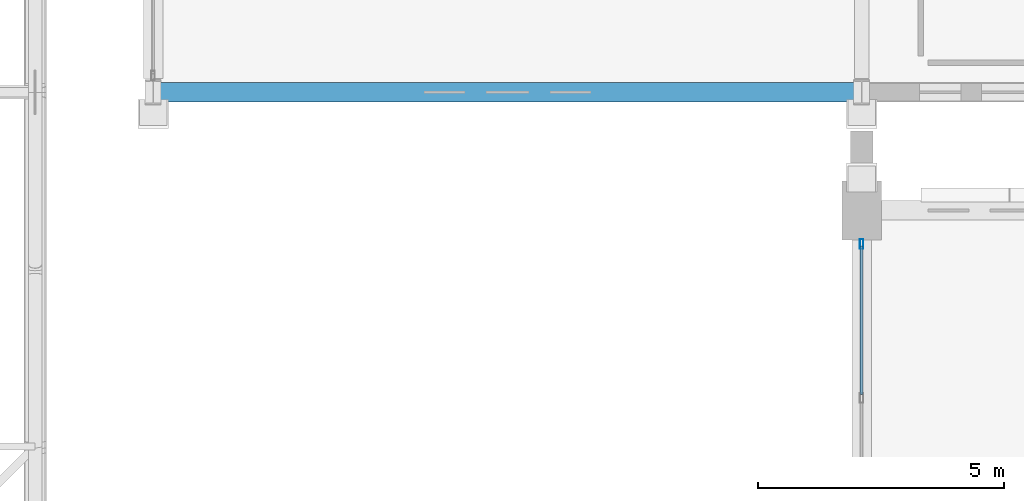
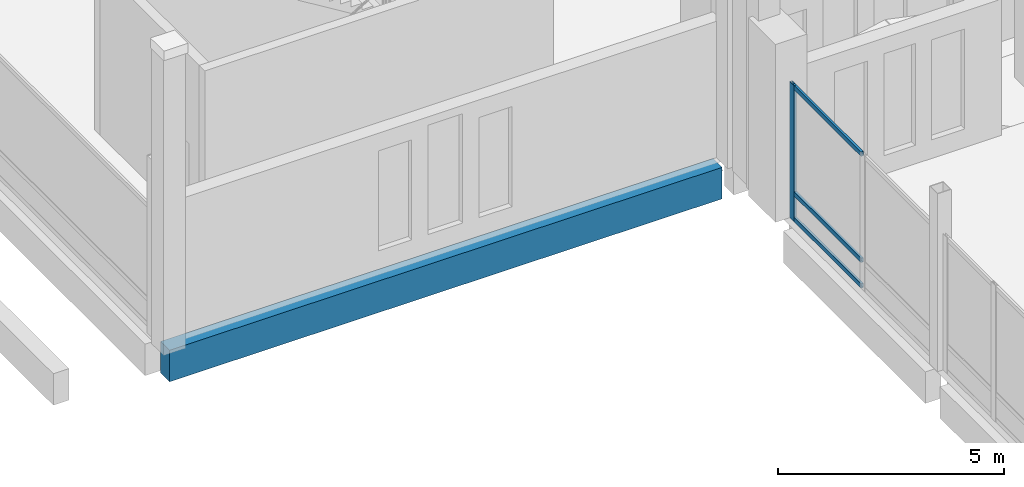
# One storey, part 85 of 193: 4 members, 1 beam, 1 element without a shape of its own.
"""IFC4 building model written with IfcOpenShell, lengths in metres."""

from ifc_helpers import new_model, si_unit, direction, frame, origin, origin_2d, place, context, subcontext, project, spatial, rectangle, hollow_rectangle, extrude, material, material_profile, profile_set, type_object, element, aggregate, save


model = new_model("IFC4")

# Units and contexts
model_context = context("Model", 3, precision=1e-05, world=origin(), true_north=direction((0.0, 1.0)))
body_context = subcontext(model_context, "Body", "Model", "MODEL_VIEW")
ifc_project = project(units=[si_unit("LENGTHUNIT", "METRE"), si_unit("AREAUNIT", "SQUARE_METRE"), si_unit("VOLUMEUNIT", "CUBIC_METRE"), si_unit("PLANEANGLEUNIT", "RADIAN"), si_unit("MASSUNIT", "GRAM", prefix="KILO")], contexts=[model_context])

# Site, building, storey
site_placement = place(None, origin())
site = spatial("IfcSite", under=ifc_project, at=site_placement, CompositionType="ELEMENT")
building_placement = place(site_placement, origin())
building = spatial("IfcBuilding", under=site, at=building_placement, Name="Cendralis Lancet Convention Centre", CompositionType="ELEMENT")
storey_placement = place(building_placement, frame((0.0, 0.0, 10.199951171875)))
storey = spatial("IfcBuildingStorey", under=building, at=storey_placement, Name="L02", CompositionType="ELEMENT", Elevation=10.199951171875)

# Curtain wall, members
ifc_material_1 = material(Name="Anodised bronze architectural aluminium", Category="aluminium")
curtain_wall_type = type_object("IfcCurtainWallType", Name="ARC-CW-PL02", PredefinedType="USERDEFINED", material=ifc_material_1)
curtain_wall_placement = place(storey_placement, origin())
curtain_wall = element("IfcCurtainWall", 1, at=curtain_wall_placement, inside=storey, type_object=curtain_wall_type, Name="L02 Curtain Wall CW-PL2 #130", ObjectType="CURTAIN WALL", PredefinedType="USERDEFINED")
ifc_material_profile_1 = material_profile(ifc_material_1, hollow_rectangle(XDim=0.070068359375, YDim=0.199951171875, WallThickness=0.0048828125, at=origin_2d()), Name="AL-MULL 70x200x5.0")
ifc_profile_set_1 = profile_set([ifc_material_profile_1], Name="Anodised bronze architectural aluminium")
member_type_1 = type_object("IfcMemberType", Name="ARC-CW-ML02", PredefinedType="MULLION", material=ifc_profile_set_1)
member_1_placement = place(storey_placement, frame((139.199951171875, 90.514892578125, 0.0), z_axis=(0.0, 0.0, 1.0), x_axis=(1.0, 0.0, 0.0)))
member_1 = element("IfcMember", 2, at=member_1_placement, type_object=member_type_1, Name="Mullion CW2-CW-PL2-L02-130-M2", PredefinedType="MULLION", context=body_context, shape_type="SweptSolid", body=[
    extrude(hollow_rectangle(XDim=0.070068359375, YDim=0.199951171875, WallThickness=0.0048828125, at=origin_2d()), origin(), (0.0, 0.0, 1.0), 3.675048828125),
])
ifc_material_profile_2 = material_profile(ifc_material_1, hollow_rectangle(XDim=0.06005859375, YDim=0.1201171875, WallThickness=0.00390625, at=origin_2d()), Name="AL-TRAN 60x120x4.0")
ifc_profile_set_2 = profile_set([ifc_material_profile_2], Name="Anodised bronze architectural aluminium")
member_type_2 = type_object("IfcMemberType", Name="ARC-CW-TR01", PredefinedType="USERDEFINED", material=ifc_profile_set_2)
member_2_placement = place(storey_placement, frame((139.199951171875, 87.45751953125, 0.06005859375), z_axis=(0.0, 1.0, 0.0), x_axis=(-1.0, 0.0, 0.0)))
member_2 = element("IfcMember", 3, at=member_2_placement, type_object=member_type_2, Name="Transom CW2-CW-PL2-L02-130-T1BOT", ObjectType="TRANSOM", PredefinedType="USERDEFINED", context=body_context, shape_type="SweptSolid", body=[
    extrude(hollow_rectangle(XDim=0.06005859375, YDim=0.1201171875, WallThickness=0.00390625, at=origin_2d()), origin(), (0.0, 0.0, 1.0), 3.0224609375),
])
member_3_placement = place(storey_placement, frame((139.199951171875, 87.45751953125, 0.75), z_axis=(0.0, 1.0, 0.0), x_axis=(-1.0, 0.0, 0.0)))
member_3 = element("IfcMember", 4, at=member_3_placement, type_object=member_type_2, Name="Transom CW2-CW-PL2-L02-130-T1MID", ObjectType="TRANSOM", PredefinedType="USERDEFINED", context=body_context, shape_type="SweptSolid", body=[
    extrude(hollow_rectangle(XDim=0.06005859375, YDim=0.1201171875, WallThickness=0.00390625, at=origin_2d()), origin(), (0.0, 0.0, 1.0), 3.0224609375),
])
member_4_placement = place(storey_placement, frame((139.199951171875, 87.45751953125, 3.614990234375), z_axis=(0.0, 1.0, 0.0), x_axis=(-1.0, 0.0, 0.0)))
member_4 = element("IfcMember", 5, at=member_4_placement, type_object=member_type_2, Name="Transom CW2-CW-PL2-L02-130-T1TOP", ObjectType="TRANSOM", PredefinedType="USERDEFINED", context=body_context, shape_type="SweptSolid", body=[
    extrude(hollow_rectangle(XDim=0.06005859375, YDim=0.1201171875, WallThickness=0.00390625, at=origin_2d()), origin(), (0.0, 0.0, 1.0), 3.0224609375),
])
aggregate(curtain_wall, [member_1, member_2, member_3, member_4])

# Beam
ifc_material_2 = material(Name="Concrete G40 (C40/50)", Category="concrete")
ifc_material_profile_3 = material_profile(ifc_material_2, rectangle(XDim=0.39990234375, YDim=0.85009765625, at=origin_2d()), Name="RCB 400x850")
ifc_profile_set_3 = profile_set([ifc_material_profile_3], Name="Concrete G40 (C40/50)")
beam_type = type_object("IfcBeamType", Name="STR-SP-SP02", PredefinedType="SPANDREL", material=ifc_profile_set_3)
beam_placement = place(storey_placement, frame((124.949951171875, 93.60009765625, -0.724853515625), z_axis=(1.0, 0.0, 0.0), x_axis=(0.0, 1.0, 0.0)))
element("IfcBeam", 6, at=beam_placement, inside=storey, type_object=beam_type, Name="L02 Beam SP02 #1697", PredefinedType="SPANDREL", context=body_context, shape_type="SweptSolid", body=[
    extrude(rectangle(XDim=0.39990234375, YDim=0.85009765625, at=origin_2d()), origin(), (0.0, 0.0, 1.0), 14.10009765625),
])

save(model, "model.ifc")
